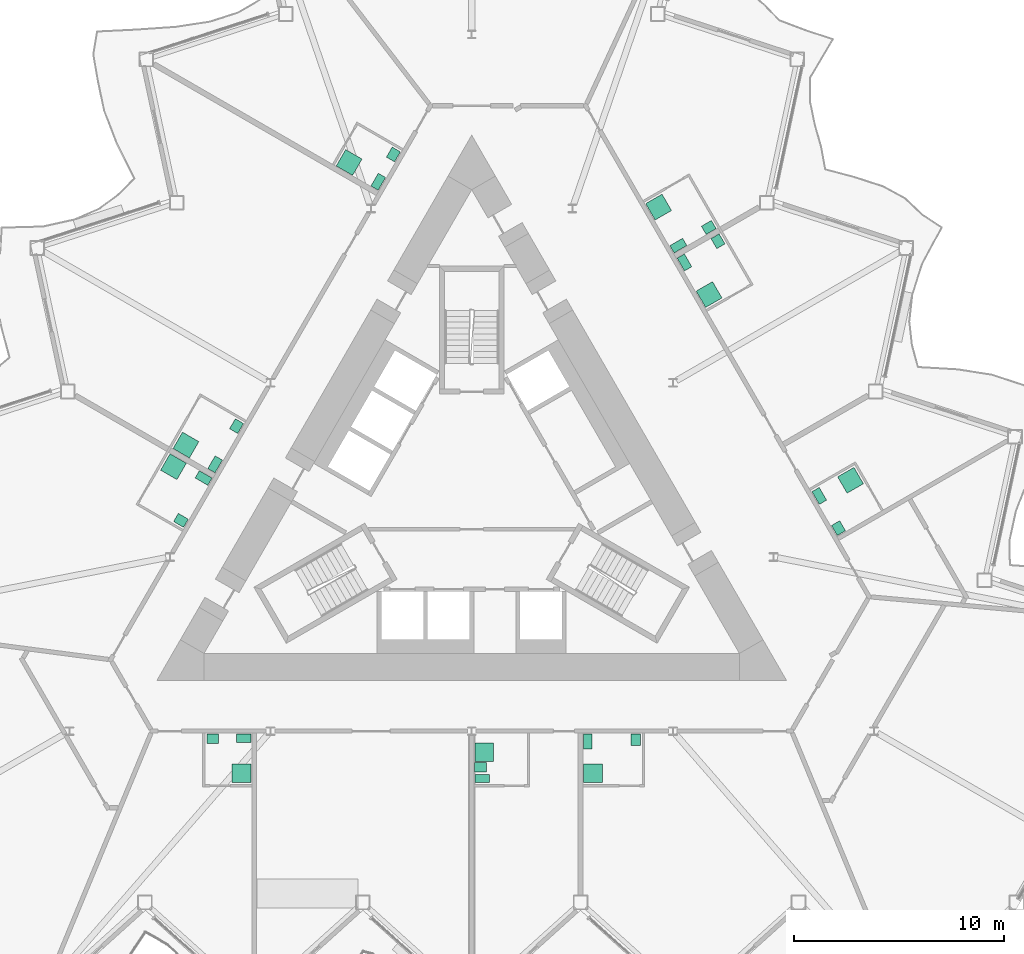
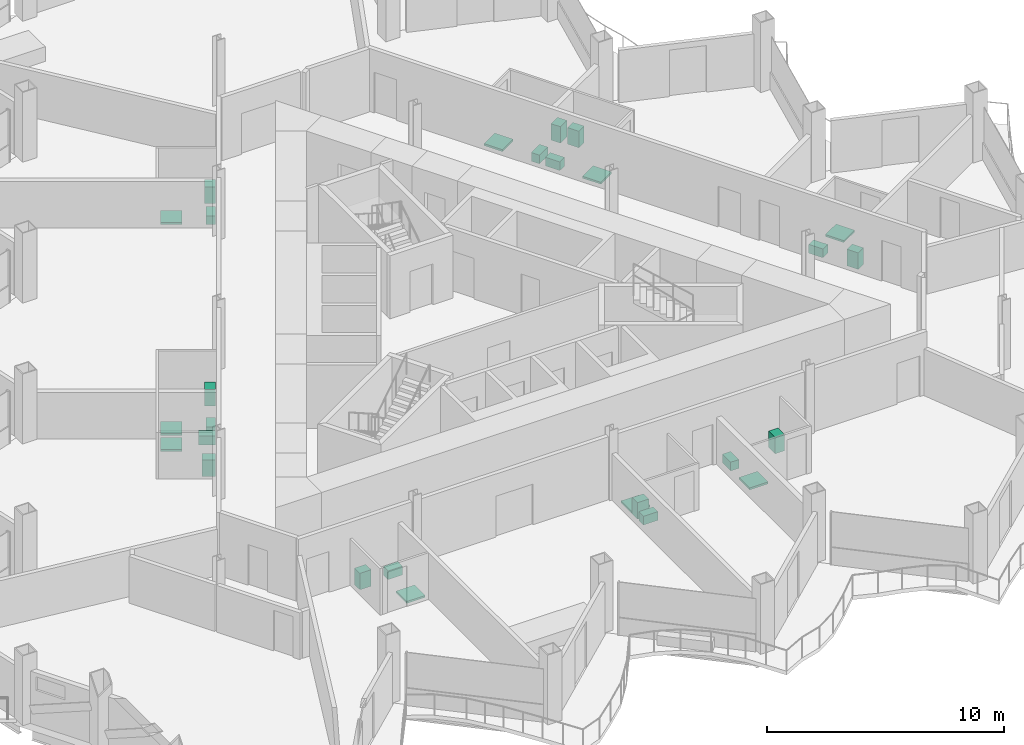
# One storey, part 22 of 23: 27 sanitary terminals.
"""IFC4 building model written with IfcOpenShell, lengths in metres."""

from ifc_helpers import new_model, si_unit, direction, frame, origin, origin_2d, place, context, subcontext, project, spatial, rectangle, extrude, material, type_object, element, save


model = new_model("IFC4")

# Units and contexts
model_context = context("Model", 3, precision=1e-05, world=origin(), true_north=direction((0.0, 1.0)))
body_context = subcontext(model_context, "Body", "Model", "MODEL_VIEW")
ifc_project = project(units=[si_unit("LENGTHUNIT", "METRE"), si_unit("AREAUNIT", "SQUARE_METRE"), si_unit("VOLUMEUNIT", "CUBIC_METRE"), si_unit("PLANEANGLEUNIT", "RADIAN"), si_unit("MASSUNIT", "GRAM", prefix="KILO")], contexts=[model_context])

# Site, building, storey
site_placement = place(None, origin())
site = spatial("IfcSite", under=ifc_project, at=site_placement, CompositionType="ELEMENT")
building_placement = place(site_placement, origin())
building = spatial("IfcBuilding", under=site, at=building_placement, Name="Cormorant Prow Tower", CompositionType="ELEMENT")
storey_placement = place(building_placement, frame((0.0, 0.0, 252.60009765625)))
storey = spatial("IfcBuildingStorey", under=building, at=storey_placement, Name="L56", CompositionType="ELEMENT", Elevation=252.60009765625)

# Sanitary terminals
ifc_material_1 = material(Name="Vitreous china")
sanitary_terminal_type_1 = type_object("IfcSanitaryTerminalType", Name="Shower tray 900x900", PredefinedType="SHOWER", material=ifc_material_1)
for number, where, z_axis, x_axis, name in (
    (1, (-10.9541015625, -13.065185546875, -0.000244140625), (0.0, 0.0, 1.0), (-1.0, 0.0, 0.0), "Shower tray"),
    (2, (0.594970703125, -12.065185546875, -0.000244140625), (0.0, 0.0, 1.0), (1.0, 0.0, 0.0), "Shower tray"),
    (3, (5.7744140625, -13.065185546875, -0.000244140625), (0.0, 0.0, 1.0), (0.0, 1.0, 0.0), "Shower tray"),
    (4, (18.039794921875, 0.884521484375, -0.000244140625), (0.0, 0.0, 1.0), (0.5, -0.866025403784, 0.0), "Shower tray"),
    (5, (11.3046875, 9.73046875, -0.000244140625), (0.0, 0.0, 1.0), (-0.5, 0.866025403784, 0.0), "Shower tray"),
    (6, (8.899658203125, 13.89599609375, -0.000244140625), (0.0, 0.0, 1.0), (0.866025403784, 0.5, 0.0), "Shower tray"),
    (7, (-5.837890625, 16.01904296875, -0.000244140625), (0.0, 0.0, 1.0), (0.5, 0.866025403784, 0.0), "Shower tray"),
    (8, (-13.607177734375, 2.562255859375, -0.000244140625), (0.0, 0.0, 1.0), (0.5, 0.866025403784, 0.0), "Shower tray"),
    (9, (-14.2021484375, 1.53173828125, -0.000244140625), (0.0, 0.0, 1.0), (0.866025403784, -0.5, 0.0), "Shower tray"),
):
    element("IfcSanitaryTerminal", number, at=place(storey_placement, frame(where, z_axis=z_axis, x_axis=x_axis)), inside=storey, type_object=sanitary_terminal_type_1, Name=name, PredefinedType="SHOWER", context=body_context, shape_type="SweptSolid", body=[
        extrude(rectangle(XDim=0.89990234375, YDim=0.89990234375, at=origin_2d()), origin(), (0.0, 0.0, 1.0), 0.10009765625),
    ])
ifc_material_2 = material(Name="Vitreous china")
sanitary_terminal_type_2 = type_object("IfcSanitaryTerminalType", Name="Wash basin 550x450", PredefinedType="WASHHANDBASIN", material=ifc_material_2)
for number, where, z_axis, x_axis, name in (
    (10, (-12.339111328125, -11.430419921875, -0.000244140625), (0.0, 0.0, 1.0), (1.0, 0.0, 0.0), "Wash basin"),
    (11, (0.419921875, -12.790283203125, -0.000244140625), (0.0, 0.0, 1.0), (1.0, 0.0, 0.0), "Wash basin"),
    (12, (7.8095703125, -11.480224609375, -0.000244140625), (0.0, 0.0, 1.0), (0.0, -1.0, 0.0), "Wash basin"),
    (13, (17.466552734375, -1.392333984375, -0.000244140625), (0.0, 0.0, 1.0), (-0.5, 0.866025403784, 0.0), "Wash basin"),
    (14, (11.72802734375, 12.26708984375, -0.000244140625), (0.0, 0.0, 1.0), (0.5, -0.866025403784, 0.0), "Wash basin"),
    (15, (11.289794921875, 12.926025390625, -0.000244140625), (0.0, 0.0, 1.0), (-0.866025403784, -0.5, 0.0), "Wash basin"),
    (16, (-3.7294921875, 16.40087890625, -0.000244140625), (0.0, 0.0, 1.0), (-0.5, -0.866025403784, 0.0), "Wash basin"),
    (17, (-11.198486328125, 3.4638671875, -0.000244140625), (0.0, 0.0, 1.0), (-0.5, -0.866025403784, 0.0), "Wash basin"),
    (18, (-13.846923828125, -1.023193359375, -0.000244140625), (0.0, 0.0, 1.0), (-0.866025403784, 0.5, 0.0), "Wash basin"),
):
    element("IfcSanitaryTerminal", number, at=place(storey_placement, frame(where, z_axis=z_axis, x_axis=x_axis)), inside=storey, type_object=sanitary_terminal_type_2, Name=name, PredefinedType="WASHHANDBASIN", context=body_context, shape_type="SweptSolid", body=[
        extrude(rectangle(XDim=0.550048828125, YDim=0.449951171875, at=origin_2d()), origin(), (0.0, 0.0, 1.0), 0.85009765625),
    ])
ifc_material_3 = material(Name="Vitreous china")
sanitary_terminal_type_3 = type_object("IfcSanitaryTerminalType", Name="Water closet 400x700", PredefinedType="WCSEAT", material=ifc_material_3)
for number, where, z_axis, x_axis, name in (
    (19, (-10.85400390625, -11.4052734375, 0.0), (0.0, 0.0, 1.0), (0.0, -1.0, 0.0), "Water closet"),
    (20, (0.4951171875, -13.315185546875, 0.0), (0.0, 0.0, 1.0), (0.0, 1.0, 0.0), "Water closet"),
    (21, (5.5244140625, -11.555419921875, 0.0), (0.0, 0.0, 1.0), (1.0, 0.0, 0.0), "Water closet"),
    (22, (16.55224609375, 0.14111328125, 0.0), (0.0, 0.0, 1.0), (0.866025403784, 0.5, 0.0), "Water closet"),
    (23, (10.133056640625, 11.259521484375, 0.0), (0.0, 0.0, 1.0), (0.866025403784, 0.5, 0.0), "Water closet"),
    (24, (9.843017578125, 12.06201171875, 0.0), (0.0, 0.0, 1.0), (-0.5, 0.866025403784, 0.0), "Water closet"),
    (25, (-4.4501953125, 15.1025390625, 0.0), (0.0, 0.0, 1.0), (-0.866025403784, 0.5, 0.0), "Water closet"),
    (26, (-12.219482421875, 1.645751953125, 0.0), (0.0, 0.0, 1.0), (-0.866025403784, 0.5, 0.0), "Water closet"),
    (27, (-12.769287109375, 0.993408203125, 0.0), (0.0, 0.0, 1.0), (-0.5, -0.866025403784, 0.0), "Water closet"),
):
    element("IfcSanitaryTerminal", number, at=place(storey_placement, frame(where, z_axis=z_axis, x_axis=x_axis)), inside=storey, type_object=sanitary_terminal_type_3, Name=name, PredefinedType="WCSEAT", context=body_context, shape_type="SweptSolid", body=[
        extrude(rectangle(XDim=0.39990234375, YDim=0.699951171875, at=origin_2d()), origin(), (0.0, 0.0, 1.0), 0.449951171875),
    ])

save(model, "model.ifc")
